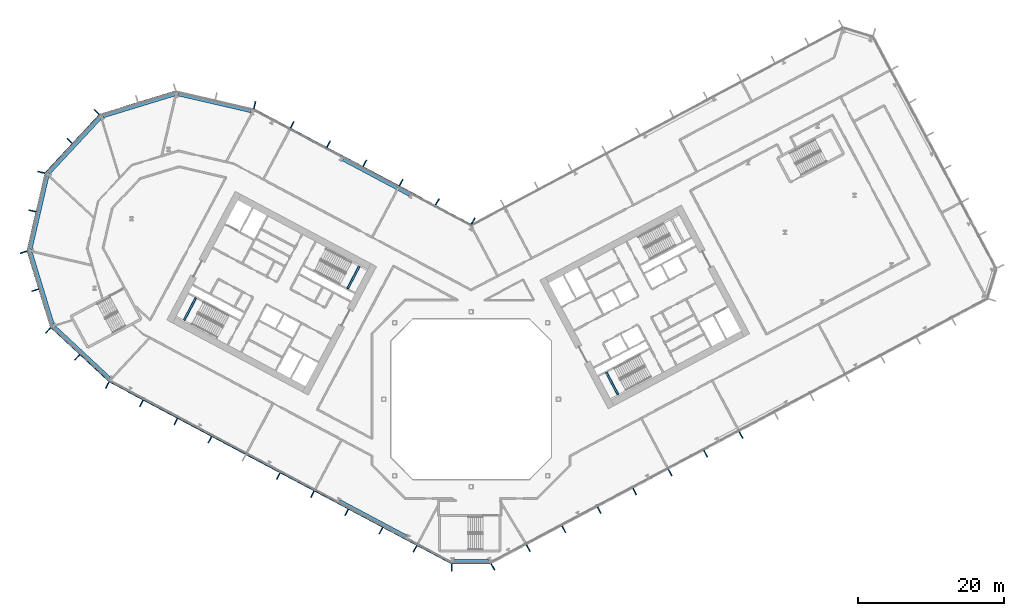
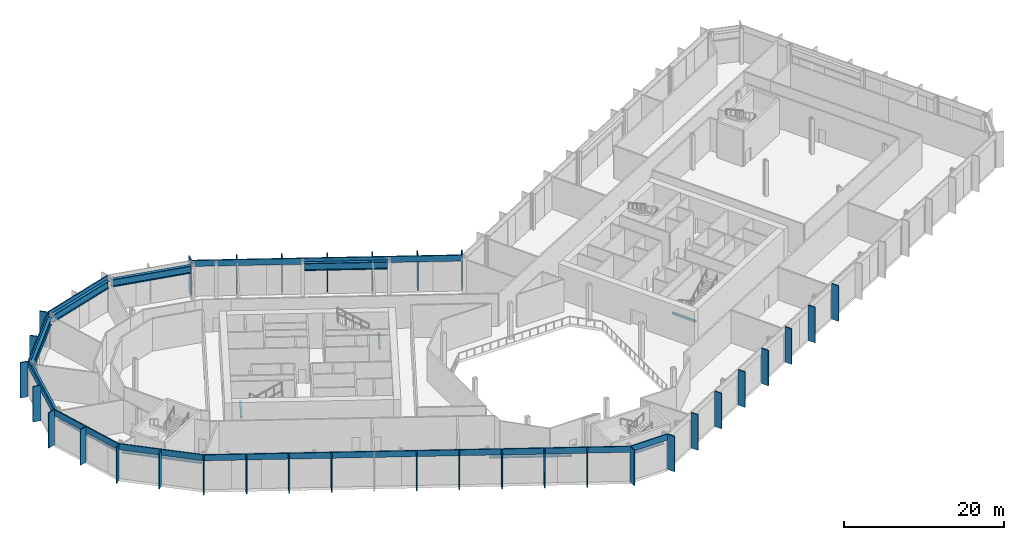
# One storey, part 6 of 31: 41 members, 12 beams, 10 elements without a shape of their own.
"""IFC4 building model written with IfcOpenShell, lengths in metres."""

import ifcopenshell
import ifcopenshell.guid

model = None  # the IFC model being written
_history = None  # IfcOwnerHistory: only IFC2X3 demands one
_inside = {}  # id of a spatial element -> (the spatial element, [elements in it])
_under = {}  # id of a project, library or spatial element -> (it, [spatial elements below it])
_declared = {}  # id of a project -> (the project, [libraries it declares])
_typed = {}  # id of a type object -> (the type object, [elements of that type])
_made_of = {}  # id of a material, layer set ... -> (it, [elements and type objects made of it])


def new_model(schema):
    """Start an empty IFC model of exactly this schema.

    Asked for "IFC4X3", IfcOpenShell would pick the latest addendum, in which some entities
    have other attributes; the version numbers below select the first issue.
    IFC2X3 requires an IfcOwnerHistory on every rooted entity: one is made here for all.
    """
    global model, _history
    if schema == "IFC4X3":
        model = ifcopenshell.file(schema_version=(4, 3, 0, 0))
    else:
        model = ifcopenshell.file(schema=schema)
    _inside.clear()
    _under.clear()
    _declared.clear()
    _typed.clear()
    _made_of.clear()
    _history = None
    if model.schema == "IFC2X3":
        org = make("IfcOrganization", Name="unknown")
        user = make(
            "IfcPersonAndOrganization",
            ThePerson=make("IfcPerson", FamilyName="unknown"),
            TheOrganization=org,
        )
        app = make(
            "IfcApplication",
            ApplicationDeveloper=org,
            Version="unknown",
            ApplicationFullName="unknown",
            ApplicationIdentifier="unknown",
        )
        _history = make(
            "IfcOwnerHistory",
            OwningUser=user,
            OwningApplication=app,
            ChangeAction="ADDED",
            CreationDate=0,
        )
    return model


def make(cls, **values):
    """One entity of the class cls with the attributes given. An attribute that is None is left unset."""
    return model.create_entity(
        cls, **{name: value for name, value in values.items() if value is not None}
    )


def rooted(cls, **values):
    """An entity with a GlobalId (a new one), such as an element, a storey or a relation."""
    return make(cls, GlobalId=ifcopenshell.guid.new(), OwnerHistory=_history, **values)


def si_unit(unit_type, name, prefix=None):
    """IfcSIUnit, for example si_unit("LENGTHUNIT", "METRE", prefix="MILLI")."""
    return make("IfcSIUnit", UnitType=unit_type, Prefix=prefix, Name=name)


def assignment(units):
    """IfcUnitAssignment: the units of a project."""
    return None if units is None else make("IfcUnitAssignment", Units=units)


def point(xyz):
    """IfcCartesianPoint."""
    return None if xyz is None else make("IfcCartesianPoint", Coordinates=xyz)


def direction(xyz):
    """IfcDirection."""
    return None if xyz is None else make("IfcDirection", DirectionRatios=xyz)


def frame(location, z_axis=None, x_axis=None):
    """IfcAxis2Placement3D, a coordinate frame: its origin and axes. An axis left out is left unset."""
    return make(
        "IfcAxis2Placement3D",
        Location=point(location),
        Axis=direction(z_axis),
        RefDirection=direction(x_axis),
    )


def frame_2d(location, x_axis=None):
    """IfcAxis2Placement2D, a coordinate frame in the plane: its origin and x axis."""
    return make(
        "IfcAxis2Placement2D", Location=point(location), RefDirection=direction(x_axis)
    )


def origin():
    """The frame at (0, 0, 0) with its axes left unset."""
    return frame((0.0, 0.0, 0.0))


def origin_2d():
    """The frame at (0, 0) in the plane with its x axis left unset."""
    return frame_2d((0.0, 0.0))


def place(relative_to, where):
    """IfcLocalPlacement: puts the frame where relative to a parent placement (None: the world)."""
    return make(
        "IfcLocalPlacement", PlacementRelTo=relative_to, RelativePlacement=where
    )


def context(
    kind, dimensions, precision=None, world=None, true_north=None, identifier=None
):
    """IfcGeometricRepresentationContext, for example the 3D "Model" context."""
    return make(
        "IfcGeometricRepresentationContext",
        ContextIdentifier=identifier,
        ContextType=kind,
        CoordinateSpaceDimension=dimensions,
        Precision=precision,
        WorldCoordinateSystem=world,
        TrueNorth=true_north,
    )


def subcontext(parent, identifier, kind, view, scale=None):
    """IfcGeometricRepresentationSubContext, for example "Body" below "Model"."""
    return make(
        "IfcGeometricRepresentationSubContext",
        ContextIdentifier=identifier,
        ContextType=kind,
        ParentContext=parent,
        TargetScale=scale,
        TargetView=view,
    )


def project(units=None, contexts=None):
    """IfcProject with its units and contexts."""
    return rooted(
        "IfcProject",
        Name="project",
        RepresentationContexts=contexts,
        UnitsInContext=assignment(units),
    )


def spatial(cls, under=None, at=None, **own):
    """A site, building, storey or space (cls), placed at a placement, below another one or the project."""
    s = rooted(cls, ObjectPlacement=at, **own)
    if under is not None:
        _under.setdefault(under.id(), (under, []))[1].append(s)
    return s


def profile(cls, at=None, kind="AREA", **sizes):
    """A parametric profile (cls). Its sizes go by their IFC names, for example OverallWidth=200.0."""
    return make(cls, ProfileType=kind, Position=at, **sizes)


def rectangle(**sizes):
    """IfcRectangleProfileDef."""
    return profile("IfcRectangleProfileDef", **sizes)


def i_section(**sizes):
    """IfcIShapeProfileDef."""
    return profile("IfcIShapeProfileDef", **sizes)


def extrude(swept, where, along, depth):
    """IfcExtrudedAreaSolid: the profile swept, set in the frame where, extruded along a direction by depth."""
    return make(
        "IfcExtrudedAreaSolid",
        SweptArea=swept,
        Position=where,
        ExtrudedDirection=direction(along),
        Depth=depth,
    )


def shape(context_of_items, identifier, shape_type, items):
    """IfcShapeRepresentation: the items that make up one representation, for example the "Body"."""
    return make(
        "IfcShapeRepresentation",
        ContextOfItems=context_of_items,
        RepresentationIdentifier=identifier,
        RepresentationType=shape_type,
        Items=items,
    )


def material(Name=None, Category=None):
    """IfcMaterial."""
    return make("IfcMaterial", Name=Name, Category=Category)


def layer(
    of_material, thickness, ventilated=None, Name=None, Category=None, Priority=None
):
    """IfcMaterialLayer: one layer of a wall or slab, of a material (None: an air gap)."""
    return make(
        "IfcMaterialLayer",
        Material=of_material,
        LayerThickness=thickness,
        IsVentilated=ventilated,
        Name=Name,
        Category=Category,
        Priority=Priority,
    )


def layer_set(layers, Name=None):
    """IfcMaterialLayerSet."""
    return make("IfcMaterialLayerSet", MaterialLayers=layers, LayerSetName=Name)


def material_profile(
    of_material, cross_section, Name=None, Category=None, Priority=None
):
    """IfcMaterialProfile: a cross section and its material."""
    return make(
        "IfcMaterialProfile",
        Name=Name,
        Material=of_material,
        Profile=cross_section,
        Priority=Priority,
        Category=Category,
    )


def profile_set(profiles, Name=None, composite=None):
    """IfcMaterialProfileSet."""
    return make(
        "IfcMaterialProfileSet",
        Name=Name,
        MaterialProfiles=profiles,
        CompositeProfile=composite,
    )


def made_of(thing, what):
    """Note that an element or type object is made of a material, layer set ...; save() writes the relation."""
    if what is not None:
        _made_of.setdefault(what.id(), (what, []))[1].append(thing)
    return thing


def type_object(cls, material=None, **own):
    """A type object (cls), such as IfcWallType, which elements share."""
    return made_of(rooted(cls, **own), material)


def element(
    cls,
    number,
    at=None,
    inside=None,
    cuts=None,
    type_object=None,
    material=None,
    context=None,
    identifier="Body",
    shape_type=None,
    held_by="IfcProductDefinitionShape",
    body=None,
    shapes=None,
    **own,
):
    """One element of the class cls, such as IfcWall. Its Tag is "e" and its number.

    at: its placement. inside: the storey or other place that contains it. cuts: it is an
    opening in that element (IfcRelVoidsElement). A single representation is given by context,
    identifier, shape_type and body (its items); several are given by shapes. held_by: the class
    of the entity that holds the representations. save() writes the other relations.
    """
    e = rooted(cls, Tag="e%d" % number, ObjectPlacement=at, **own)
    if body is not None:
        shapes = [shape(context, identifier, shape_type, body)]
    if shapes is not None:
        e.Representation = make(held_by, Representations=shapes)
    if inside is not None:
        _inside.setdefault(inside.id(), (inside, []))[1].append(e)
    if cuts is not None:
        rooted(
            "IfcRelVoidsElement", RelatingBuildingElement=cuts, RelatedOpeningElement=e
        )
    if type_object is not None:
        _typed.setdefault(type_object.id(), (type_object, []))[1].append(e)
    return made_of(e, material)


def aggregate(whole, parts):
    """IfcRelAggregates: a whole, such as a stair, and the parts it consists of."""
    return rooted("IfcRelAggregates", RelatingObject=whole, RelatedObjects=parts)


def save(model, path):
    """Write the relations noted so far, then the file.

    IfcRelAggregates (storeys below a building ...), IfcRelContainedInSpatialStructure (elements
    in a storey), IfcRelDefinesByType, IfcRelAssociatesMaterial and IfcRelDeclares: one each for
    every whole, place, type object, material and project.
    """
    for whole, parts in _under.values():
        aggregate(whole, parts)
    for where, things in _inside.values():
        rooted(
            "IfcRelContainedInSpatialStructure",
            RelatedElements=things,
            RelatingStructure=where,
        )
    for kind, things in _typed.values():
        rooted("IfcRelDefinesByType", RelatedObjects=things, RelatingType=kind)
    for what, things in _made_of.values():
        rooted("IfcRelAssociatesMaterial", RelatedObjects=things, RelatingMaterial=what)
    for by, libraries in _declared.values():
        rooted("IfcRelDeclares", RelatingContext=by, RelatedDefinitions=libraries)
    model.write(path)


model = new_model("IFC4")

# Units and contexts
model_context = context("Model", 3, precision=1e-05, world=origin(), true_north=direction((0.0, 1.0)))
body_context = subcontext(model_context, "Body", "Model", "MODEL_VIEW")
ifc_project = project(units=[si_unit("LENGTHUNIT", "METRE"), si_unit("AREAUNIT", "SQUARE_METRE"), si_unit("VOLUMEUNIT", "CUBIC_METRE"), si_unit("PLANEANGLEUNIT", "RADIAN"), si_unit("MASSUNIT", "GRAM", prefix="KILO")], contexts=[model_context])

# Site, building, storey
site_placement = place(None, origin())
site = spatial("IfcSite", under=ifc_project, at=site_placement, CompositionType="ELEMENT")
building_placement = place(site_placement, origin())
building = spatial("IfcBuilding", under=site, at=building_placement, Name="Cormorant Relay Tower", CompositionType="ELEMENT")
storey_placement = place(building_placement, frame((0.0, 0.0, 23.0)))
storey = spatial("IfcBuildingStorey", under=building, at=storey_placement, Name="L04", CompositionType="ELEMENT", Elevation=23.0)

# Curtain wall, member
ifc_material_1 = material(Name="Aluminium 6063-T6 anodised bronze", Category="aluminium")
ifc_layer = layer(ifc_material_1, 0.235107421875)
ifc_layer_set = layer_set([ifc_layer], Name="CW6 data hall curtain wall with mineral wool panels")
curtain_wall_type = type_object("IfcCurtainWallType", Name="CW6 data hall curtain wall with mineral wool panels", PredefinedType="NOTDEFINED", material=ifc_layer_set)
curtain_wall_1_placement = place(storey_placement, origin())
curtain_wall_1 = element("IfcCurtainWall", 1, at=curtain_wall_1_placement, inside=storey, type_object=curtain_wall_type, Name="CW6 curtain wall 1", PredefinedType="NOTDEFINED")
ifc_material_2 = material(Name="Aluminium 6063-T6 anodised bronze", Category="aluminium")
ifc_material_profile_1 = material_profile(ifc_material_2, rectangle(XDim=0.14990234375, YDim=1.0, at=origin_2d()), Name="AL 150x1000")
ifc_profile_set_1 = profile_set([ifc_material_profile_1], Name="Aluminium 6063-T6 anodised bronze")
member_type_1 = type_object("IfcMemberType", Name="CW6 bronze fin mullion 150 x 1000", PredefinedType="MULLION", material=ifc_profile_set_1)
member_1_placement = place(storey_placement, frame((-2.648681640625, -23.110595703125, 0.0), z_axis=(0.0, 0.0, 1.0), x_axis=(1.0, 0.0, 0.0)))
member_1 = element("IfcMember", 2, at=member_1_placement, type_object=member_type_1, Name="CW6 fin 1.1", PredefinedType="MULLION", context=body_context, shape_type="SweptSolid", body=[
    extrude(rectangle(XDim=0.14990234375, YDim=1.0, at=origin_2d()), origin(), (0.0, 0.0, 1.0), 5.39990234375),
])

# Curtain wall, members
curtain_wall_2_placement = place(storey_placement, origin())
curtain_wall_2 = element("IfcCurtainWall", 3, at=curtain_wall_2_placement, inside=storey, type_object=curtain_wall_type, Name="CW6 curtain wall 2", PredefinedType="NOTDEFINED")
member_2_placement = place(storey_placement, frame((2.993896484375, -23.0244140625, 0.0), z_axis=(0.0, 0.0, 1.0), x_axis=(0.882947592859, 0.469471562786, 0.0)))
member_2 = element("IfcMember", 4, at=member_2_placement, type_object=member_type_1, Name="CW6 fin 2.1", PredefinedType="MULLION", context=body_context, shape_type="SweptSolid", body=[
    extrude(rectangle(XDim=0.14990234375, YDim=1.0, at=origin_2d()), origin(), (0.0, 0.0, 1.0), 5.39990234375),
])
member_3_placement = place(storey_placement, frame((7.860595703125, -20.43701171875, 0.0), z_axis=(0.0, 0.0, 1.0), x_axis=(0.882947592859, 0.469471562786, 0.0)))
member_3 = element("IfcMember", 5, at=member_3_placement, type_object=member_type_1, Name="CW6 fin 2.2", PredefinedType="MULLION", context=body_context, shape_type="SweptSolid", body=[
    extrude(rectangle(XDim=0.14990234375, YDim=1.0, at=origin_2d()), origin(), (0.0, 0.0, 1.0), 5.39990234375),
])
member_4_placement = place(storey_placement, frame((12.727294921875, -17.84912109375, 0.0), z_axis=(0.0, 0.0, 1.0), x_axis=(0.882947592859, 0.469471562786, 0.0)))
member_4 = element("IfcMember", 6, at=member_4_placement, type_object=member_type_1, Name="CW6 fin 2.3", PredefinedType="MULLION", context=body_context, shape_type="SweptSolid", body=[
    extrude(rectangle(XDim=0.14990234375, YDim=1.0, at=origin_2d()), origin(), (0.0, 0.0, 1.0), 5.39990234375),
])
member_5_placement = place(storey_placement, frame((17.593994140625, -15.26171875, 0.0), z_axis=(0.0, 0.0, 1.0), x_axis=(0.882947592859, 0.469471562786, 0.0)))
member_5 = element("IfcMember", 7, at=member_5_placement, type_object=member_type_1, Name="CW6 fin 2.4", PredefinedType="MULLION", context=body_context, shape_type="SweptSolid", body=[
    extrude(rectangle(XDim=0.14990234375, YDim=1.0, at=origin_2d()), origin(), (0.0, 0.0, 1.0), 5.39990234375),
])
member_6_placement = place(storey_placement, frame((22.460693359375, -12.673828125, 0.0), z_axis=(0.0, 0.0, 1.0), x_axis=(0.882947592859, 0.469471562786, 0.0)))
member_6 = element("IfcMember", 8, at=member_6_placement, type_object=member_type_1, Name="CW6 fin 2.5", PredefinedType="MULLION", context=body_context, shape_type="SweptSolid", body=[
    extrude(rectangle(XDim=0.14990234375, YDim=1.0, at=origin_2d()), origin(), (0.0, 0.0, 1.0), 5.39990234375),
])
member_7_placement = place(storey_placement, frame((27.327392578125, -10.086181640625, 0.0), z_axis=(0.0, 0.0, 1.0), x_axis=(0.882947592859, 0.469471562786, 0.0)))
member_7 = element("IfcMember", 9, at=member_7_placement, type_object=member_type_1, Name="CW6 fin 2.6", PredefinedType="MULLION", context=body_context, shape_type="SweptSolid", body=[
    extrude(rectangle(XDim=0.14990234375, YDim=1.0, at=origin_2d()), origin(), (0.0, 0.0, 1.0), 5.39990234375),
])
member_8_placement = place(storey_placement, frame((32.194091796875, -7.49853515625, 0.0), z_axis=(0.0, 0.0, 1.0), x_axis=(0.882947592859, 0.469471562786, 0.0)))
member_8 = element("IfcMember", 10, at=member_8_placement, type_object=member_type_1, Name="CW6 fin 2.7", PredefinedType="MULLION", context=body_context, shape_type="SweptSolid", body=[
    extrude(rectangle(XDim=0.14990234375, YDim=1.0, at=origin_2d()), origin(), (0.0, 0.0, 1.0), 5.39990234375),
])
member_9_placement = place(storey_placement, frame((37.060546875, -4.910888671875, 0.0), z_axis=(0.0, 0.0, 1.0), x_axis=(0.882947592859, 0.469471562786, 0.0)))
member_9 = element("IfcMember", 11, at=member_9_placement, type_object=member_type_1, Name="CW6 fin 2.8", PredefinedType="MULLION", context=body_context, shape_type="SweptSolid", body=[
    extrude(rectangle(XDim=0.14990234375, YDim=1.0, at=origin_2d()), origin(), (0.0, 0.0, 1.0), 5.39990234375),
])
aggregate(curtain_wall_2, [member_2, member_3, member_4, member_5, member_6, member_7, member_8, member_9])

curtain_wall_3_placement = place(storey_placement, origin())
curtain_wall_3 = element("IfcCurtainWall", 12, at=curtain_wall_3_placement, inside=storey, type_object=curtain_wall_type, Name="CW6 curtain wall 7", PredefinedType="NOTDEFINED")
member_10_placement = place(storey_placement, frame((0.27880859375, 24.468017578125, 0.0), z_axis=(0.0, 0.0, 1.0), x_axis=(-0.882947592859, 0.469471562786, 0.0)))
member_10 = element("IfcMember", 13, at=member_10_placement, type_object=member_type_1, Name="CW6 fin 7.1", PredefinedType="MULLION", context=body_context, shape_type="SweptSolid", body=[
    extrude(rectangle(XDim=0.14990234375, YDim=1.0, at=origin_2d()), origin(), (0.0, 0.0, 1.0), 5.39990234375),
])
member_11_placement = place(storey_placement, frame((-4.6337890625, 27.080322265625, 0.0), z_axis=(0.0, 0.0, 1.0), x_axis=(-0.882947592859, 0.469471562786, 0.0)))
member_11 = element("IfcMember", 14, at=member_11_placement, type_object=member_type_1, Name="CW6 fin 7.2", PredefinedType="MULLION", context=body_context, shape_type="SweptSolid", body=[
    extrude(rectangle(XDim=0.14990234375, YDim=1.0, at=origin_2d()), origin(), (0.0, 0.0, 1.0), 5.39990234375),
])
member_12_placement = place(storey_placement, frame((-9.61279296875, 29.727783203125, 0.0), z_axis=(0.0, 0.0, 1.0), x_axis=(-0.882947592859, 0.469471562786, 0.0)))
member_12 = element("IfcMember", 15, at=member_12_placement, type_object=member_type_1, Name="CW6 fin 7.3", PredefinedType="MULLION", context=body_context, shape_type="SweptSolid", body=[
    extrude(rectangle(XDim=0.14990234375, YDim=1.0, at=origin_2d()), origin(), (0.0, 0.0, 1.0), 5.39990234375),
])
member_13_placement = place(storey_placement, frame((-14.591796875, 32.375, 0.0), z_axis=(0.0, 0.0, 1.0), x_axis=(-0.882947592859, 0.469471562786, 0.0)))
member_13 = element("IfcMember", 16, at=member_13_placement, type_object=member_type_1, Name="CW6 fin 7.4", PredefinedType="MULLION", context=body_context, shape_type="SweptSolid", body=[
    extrude(rectangle(XDim=0.14990234375, YDim=1.0, at=origin_2d()), origin(), (0.0, 0.0, 1.0), 5.39990234375),
])
member_14_placement = place(storey_placement, frame((-19.57080078125, 35.0224609375, 0.0), z_axis=(0.0, 0.0, 1.0), x_axis=(-0.882947592859, 0.469471562786, 0.0)))
member_14 = element("IfcMember", 17, at=member_14_placement, type_object=member_type_1, Name="CW6 fin 7.5", PredefinedType="MULLION", context=body_context, shape_type="SweptSolid", body=[
    extrude(rectangle(XDim=0.14990234375, YDim=1.0, at=origin_2d()), origin(), (0.0, 0.0, 1.0), 5.39990234375),
])
member_15_placement = place(storey_placement, frame((-24.5498046875, 37.669677734375, 0.0), z_axis=(0.0, 0.0, 1.0), x_axis=(-0.882947592859, 0.469471562786, 0.0)))
member_15 = element("IfcMember", 18, at=member_15_placement, type_object=member_type_1, Name="CW6 fin 7.6", PredefinedType="MULLION", context=body_context, shape_type="SweptSolid", body=[
    extrude(rectangle(XDim=0.14990234375, YDim=1.0, at=origin_2d()), origin(), (0.0, 0.0, 1.0), 5.39990234375),
])

# Curtain wall, member
curtain_wall_4_placement = place(storey_placement, origin())
curtain_wall_4 = element("IfcCurtainWall", 19, at=curtain_wall_4_placement, inside=storey, type_object=curtain_wall_type, Name="CW6 curtain wall 8", PredefinedType="NOTDEFINED")
member_16_placement = place(storey_placement, frame((-29.70849609375, 40.38427734375, 0.0), z_axis=(0.0, 0.0, 1.0), x_axis=(-0.974370064785, 0.224951054344, 0.0)))
member_16 = element("IfcMember", 20, at=member_16_placement, type_object=member_type_1, Name="CW6 fin 8.1", PredefinedType="MULLION", context=body_context, shape_type="SweptSolid", body=[
    extrude(rectangle(XDim=0.14990234375, YDim=1.0, at=origin_2d()), origin(), (0.0, 0.0, 1.0), 5.39990234375),
])
aggregate(curtain_wall_4, [member_16])

# Curtain wall, members
curtain_wall_5_placement = place(storey_placement, origin())
curtain_wall_5 = element("IfcCurtainWall", 21, at=curtain_wall_5_placement, inside=storey, type_object=curtain_wall_type, Name="CW6 curtain wall 10", PredefinedType="NOTDEFINED")
member_17_placement = place(storey_placement, frame((-51.3984375, 39.4365234375, 0.0), z_axis=(0.0, 0.0, 1.0), x_axis=(-0.681998360062, -0.731353701619, 0.0)))
member_17 = element("IfcMember", 22, at=member_17_placement, type_object=member_type_1, Name="CW6 fin 10.1", PredefinedType="MULLION", context=body_context, shape_type="SweptSolid", body=[
    extrude(rectangle(XDim=0.14990234375, YDim=1.0, at=origin_2d()), origin(), (0.0, 0.0, 1.0), 5.39990234375),
])
member_18_placement = place(storey_placement, frame((-55.105224609375, 35.46142578125, 0.0), z_axis=(0.0, 0.0, 1.0), x_axis=(-0.681998360062, -0.731353701619, 0.0)))
member_18 = element("IfcMember", 23, at=member_18_placement, type_object=member_type_1, Name="CW6 fin 10.2", PredefinedType="MULLION", context=body_context, shape_type="SweptSolid", body=[
    extrude(rectangle(XDim=0.14990234375, YDim=1.0, at=origin_2d()), origin(), (0.0, 0.0, 1.0), 5.39990234375),
])

curtain_wall_6_placement = place(storey_placement, origin())
curtain_wall_6 = element("IfcCurtainWall", 24, at=curtain_wall_6_placement, inside=storey, type_object=curtain_wall_type, Name="CW6 curtain wall 11", PredefinedType="NOTDEFINED")
member_19_placement = place(storey_placement, frame((-58.99072265625, 31.150390625, 0.0), z_axis=(0.0, 0.0, 1.0), x_axis=(-0.224951054344, -0.974370064785, 0.0)))
member_19 = element("IfcMember", 25, at=member_19_placement, type_object=member_type_1, Name="CW6 fin 11.1", PredefinedType="MULLION", context=body_context, shape_type="SweptSolid", body=[
    extrude(rectangle(XDim=0.14990234375, YDim=1.0, at=origin_2d()), origin(), (0.0, 0.0, 1.0), 5.39990234375),
])
member_20_placement = place(storey_placement, frame((-60.21337890625, 25.8544921875, 0.0), z_axis=(0.0, 0.0, 1.0), x_axis=(-0.224951054344, -0.974370064785, 0.0)))
member_20 = element("IfcMember", 26, at=member_20_placement, type_object=member_type_1, Name="CW6 fin 11.2", PredefinedType="MULLION", context=body_context, shape_type="SweptSolid", body=[
    extrude(rectangle(XDim=0.14990234375, YDim=1.0, at=origin_2d()), origin(), (0.0, 0.0, 1.0), 5.39990234375),
])

curtain_wall_7_placement = place(storey_placement, origin())
curtain_wall_7 = element("IfcCurtainWall", 27, at=curtain_wall_7_placement, inside=storey, type_object=curtain_wall_type, Name="CW6 curtain wall 12", PredefinedType="NOTDEFINED")
member_21_placement = place(storey_placement, frame((-61.422607421875, 20.178466796875, 0.0), z_axis=(0.0, 0.0, 1.0), x_axis=(0.292371704723, -0.956304755963, 0.0)))
member_21 = element("IfcMember", 28, at=member_21_placement, type_object=member_type_1, Name="CW6 fin 12.1", PredefinedType="MULLION", context=body_context, shape_type="SweptSolid", body=[
    extrude(rectangle(XDim=0.14990234375, YDim=1.0, at=origin_2d()), origin(), (0.0, 0.0, 1.0), 5.39990234375),
])
member_22_placement = place(storey_placement, frame((-59.83349609375, 14.980712890625, 0.0), z_axis=(0.0, 0.0, 1.0), x_axis=(0.292371704723, -0.956304755963, 0.0)))
member_22 = element("IfcMember", 29, at=member_22_placement, type_object=member_type_1, Name="CW6 fin 12.2", PredefinedType="MULLION", context=body_context, shape_type="SweptSolid", body=[
    extrude(rectangle(XDim=0.14990234375, YDim=1.0, at=origin_2d()), origin(), (0.0, 0.0, 1.0), 5.39990234375),
])

curtain_wall_8_placement = place(storey_placement, origin())
curtain_wall_8 = element("IfcCurtainWall", 30, at=curtain_wall_8_placement, inside=storey, type_object=curtain_wall_type, Name="CW6 curtain wall 13", PredefinedType="NOTDEFINED")
member_23_placement = place(storey_placement, frame((-58.04296875, 9.46044921875, 0.0), z_axis=(0.0, 0.0, 1.0), x_axis=(0.731353701619, -0.681998360062, 0.0)))
member_23 = element("IfcMember", 31, at=member_23_placement, type_object=member_type_1, Name="CW6 fin 13.1", PredefinedType="MULLION", context=body_context, shape_type="SweptSolid", body=[
    extrude(rectangle(XDim=0.14990234375, YDim=1.0, at=origin_2d()), origin(), (0.0, 0.0, 1.0), 5.39990234375),
])
member_24_placement = place(storey_placement, frame((-54.06787109375, 5.753662109375, 0.0), z_axis=(0.0, 0.0, 1.0), x_axis=(0.731353701619, -0.681998360062, 0.0)))
member_24 = element("IfcMember", 32, at=member_24_placement, type_object=member_type_1, Name="CW6 fin 13.2", PredefinedType="MULLION", context=body_context, shape_type="SweptSolid", body=[
    extrude(rectangle(XDim=0.14990234375, YDim=1.0, at=origin_2d()), origin(), (0.0, 0.0, 1.0), 5.39990234375),
])

curtain_wall_9_placement = place(storey_placement, origin())
curtain_wall_9 = element("IfcCurtainWall", 33, at=curtain_wall_9_placement, inside=storey, type_object=curtain_wall_type, Name="CW6 curtain wall 14", PredefinedType="NOTDEFINED")
member_25_placement = place(storey_placement, frame((-49.9365234375, 1.935302734375, 0.0), z_axis=(0.0, 0.0, 1.0), x_axis=(0.882947592859, -0.469471562786, 0.0)))
member_25 = element("IfcMember", 34, at=member_25_placement, type_object=member_type_1, Name="CW6 fin 14.1", PredefinedType="MULLION", context=body_context, shape_type="SweptSolid", body=[
    extrude(rectangle(XDim=0.14990234375, YDim=1.0, at=origin_2d()), origin(), (0.0, 0.0, 1.0), 5.39990234375),
])
member_26_placement = place(storey_placement, frame((-45.2421875, -0.560546875, 0.0), z_axis=(0.0, 0.0, 1.0), x_axis=(0.882947592859, -0.469471562786, 0.0)))
member_26 = element("IfcMember", 35, at=member_26_placement, type_object=member_type_1, Name="CW6 fin 14.2", PredefinedType="MULLION", context=body_context, shape_type="SweptSolid", body=[
    extrude(rectangle(XDim=0.14990234375, YDim=1.0, at=origin_2d()), origin(), (0.0, 0.0, 1.0), 5.39990234375),
])
member_27_placement = place(storey_placement, frame((-40.548095703125, -3.056640625, 0.0), z_axis=(0.0, 0.0, 1.0), x_axis=(0.882947592859, -0.469471562786, 0.0)))
member_27 = element("IfcMember", 36, at=member_27_placement, type_object=member_type_1, Name="CW6 fin 14.3", PredefinedType="MULLION", context=body_context, shape_type="SweptSolid", body=[
    extrude(rectangle(XDim=0.14990234375, YDim=1.0, at=origin_2d()), origin(), (0.0, 0.0, 1.0), 5.39990234375),
])
member_28_placement = place(storey_placement, frame((-35.853759765625, -5.552490234375, 0.0), z_axis=(0.0, 0.0, 1.0), x_axis=(0.882947592859, -0.469471562786, 0.0)))
member_28 = element("IfcMember", 37, at=member_28_placement, type_object=member_type_1, Name="CW6 fin 14.4", PredefinedType="MULLION", context=body_context, shape_type="SweptSolid", body=[
    extrude(rectangle(XDim=0.14990234375, YDim=1.0, at=origin_2d()), origin(), (0.0, 0.0, 1.0), 5.39990234375),
])
member_29_placement = place(storey_placement, frame((-26.46533203125, -10.544677734375, 0.0), z_axis=(0.0, 0.0, 1.0), x_axis=(0.882947592859, -0.469471562786, 0.0)))
member_29 = element("IfcMember", 38, at=member_29_placement, type_object=member_type_1, Name="CW6 fin 14.6", PredefinedType="MULLION", context=body_context, shape_type="SweptSolid", body=[
    extrude(rectangle(XDim=0.14990234375, YDim=1.0, at=origin_2d()), origin(), (0.0, 0.0, 1.0), 5.39990234375),
])
member_30_placement = place(storey_placement, frame((-21.77099609375, -13.04052734375, 0.0), z_axis=(0.0, 0.0, 1.0), x_axis=(0.882947592859, -0.469471562786, 0.0)))
member_30 = element("IfcMember", 39, at=member_30_placement, type_object=member_type_1, Name="CW6 fin 14.7", PredefinedType="MULLION", context=body_context, shape_type="SweptSolid", body=[
    extrude(rectangle(XDim=0.14990234375, YDim=1.0, at=origin_2d()), origin(), (0.0, 0.0, 1.0), 5.39990234375),
])
member_31_placement = place(storey_placement, frame((-17.07666015625, -15.53662109375, 0.0), z_axis=(0.0, 0.0, 1.0), x_axis=(0.882947592859, -0.469471562786, 0.0)))
member_31 = element("IfcMember", 40, at=member_31_placement, type_object=member_type_1, Name="CW6 fin 14.8", PredefinedType="MULLION", context=body_context, shape_type="SweptSolid", body=[
    extrude(rectangle(XDim=0.14990234375, YDim=1.0, at=origin_2d()), origin(), (0.0, 0.0, 1.0), 5.39990234375),
])
member_32_placement = place(storey_placement, frame((-12.38232421875, -18.032470703125, 0.0), z_axis=(0.0, 0.0, 1.0), x_axis=(0.882947592859, -0.469471562786, 0.0)))
member_32 = element("IfcMember", 41, at=member_32_placement, type_object=member_type_1, Name="CW6 fin 14.9", PredefinedType="MULLION", context=body_context, shape_type="SweptSolid", body=[
    extrude(rectangle(XDim=0.14990234375, YDim=1.0, at=origin_2d()), origin(), (0.0, 0.0, 1.0), 5.39990234375),
])
member_33_placement = place(storey_placement, frame((-7.688232421875, -20.528564453125, 0.0), z_axis=(0.0, 0.0, 1.0), x_axis=(0.882947592859, -0.469471562786, 0.0)))
member_33 = element("IfcMember", 42, at=member_33_placement, type_object=member_type_1, Name="CW6 fin 14.10", PredefinedType="MULLION", context=body_context, shape_type="SweptSolid", body=[
    extrude(rectangle(XDim=0.14990234375, YDim=1.0, at=origin_2d()), origin(), (0.0, 0.0, 1.0), 5.39990234375),
])

# Member
ifc_material_3 = material(Name="Aluminium 6063-T6 anodised bronze", Category="aluminium")
ifc_material_profile_2 = material_profile(ifc_material_3, rectangle(XDim=0.159912109375, YDim=0.89990234375, at=origin_2d()), Name="AL 160x900")
ifc_profile_set_2 = profile_set([ifc_material_profile_2], Name="Aluminium 6063-T6 anodised bronze")
member_type_2 = type_object("IfcMemberType", Name="CW6 bronze transom 160 x 900", PredefinedType="USERDEFINED", material=ifc_profile_set_2)
member_34_placement = place(storey_placement, frame((-2.648681640625, -22.530517578125, 4.949951171875), z_axis=(1.0, 0.0, 0.0), x_axis=(0.0, 1.0, 0.0)))
member_34 = element("IfcMember", 43, at=member_34_placement, type_object=member_type_2, Name="CW6 transom 1", ObjectType="TRANSOM", PredefinedType="USERDEFINED", context=body_context, shape_type="SweptSolid", body=[
    extrude(rectangle(XDim=0.159912109375, YDim=0.89990234375, at=origin_2d()), origin(), (0.0, 0.0, 1.0), 5.29736328125),
])

aggregate(curtain_wall_1, [member_1, member_34])

member_35_placement = place(storey_placement, frame((0.07275390625, 23.9208984375, 4.949951171875), z_axis=(-0.882949271414, 0.46946840587, 0.0), x_axis=(-0.46946840587, -0.882949271414, 0.0)))
member_35 = element("IfcMember", 44, at=member_35_placement, type_object=member_type_2, Name="CW6 transom 7", ObjectType="TRANSOM", PredefinedType="USERDEFINED", context=body_context, shape_type="SweptSolid", body=[
    extrude(rectangle(XDim=0.159912109375, YDim=0.89990234375, at=origin_2d()), origin(), (0.0, 0.0, 1.0), 33.833984375),
])

aggregate(curtain_wall_3, [member_10, member_11, member_12, member_13, member_14, member_15, member_35])

# Curtain wall, member
curtain_wall_10_placement = place(storey_placement, origin())
curtain_wall_10 = element("IfcCurtainWall", 45, at=curtain_wall_10_placement, inside=storey, type_object=curtain_wall_type, Name="CW6 curtain wall 9", PredefinedType="NOTDEFINED")
member_36_placement = place(storey_placement, frame((-40.5107421875, 42.26171875, 4.949951171875), z_axis=(-0.956304833932, -0.292371449698, 0.0), x_axis=(0.292371449698, -0.956304833932, 0.0)))
member_36 = element("IfcMember", 46, at=member_36_placement, type_object=member_type_2, Name="CW6 transom 9", ObjectType="TRANSOM", PredefinedType="USERDEFINED", context=body_context, shape_type="SweptSolid", body=[
    extrude(rectangle(XDim=0.159912109375, YDim=0.89990234375, at=origin_2d()), origin(), (0.0, 0.0, 1.0), 10.87060546875),
])
aggregate(curtain_wall_10, [member_36])

# Member
member_37_placement = place(storey_placement, frame((-50.974365234375, 39.041015625, 4.949951171875), z_axis=(-0.681993299437, -0.731358420696, 0.0), x_axis=(0.731358420696, -0.681993299437, 0.0)))
member_37 = element("IfcMember", 47, at=member_37_placement, type_object=member_type_2, Name="CW6 transom 10", ObjectType="TRANSOM", PredefinedType="USERDEFINED", context=body_context, shape_type="SweptSolid", body=[
    extrude(rectangle(XDim=0.159912109375, YDim=0.89990234375, at=origin_2d()), origin(), (0.0, 0.0, 1.0), 10.870361328125),
])

aggregate(curtain_wall_5, [member_17, member_18, member_37])

member_38_placement = place(storey_placement, frame((-58.425537109375, 31.02001953125, 4.949951171875), z_axis=(-0.22495136131, -0.974369993916, 0.0), x_axis=(0.974369993916, -0.22495136131, 0.0)))
member_38 = element("IfcMember", 48, at=member_38_placement, type_object=member_type_2, Name="CW6 transom 11", ObjectType="TRANSOM", PredefinedType="USERDEFINED", context=body_context, shape_type="SweptSolid", body=[
    extrude(rectangle(XDim=0.159912109375, YDim=0.89990234375, at=origin_2d()), origin(), (0.0, 0.0, 1.0), 10.870361328125),
])

aggregate(curtain_wall_6, [member_19, member_20, member_38])

member_39_placement = place(storey_placement, frame((-60.8681640625, 20.347900390625, 4.949951171875), z_axis=(0.292377729282, -0.95630291405, 0.0), x_axis=(0.95630291405, 0.292377729282, 0.0)))
member_39 = element("IfcMember", 49, at=member_39_placement, type_object=member_type_2, Name="CW6 transom 12", ObjectType="TRANSOM", PredefinedType="USERDEFINED", context=body_context, shape_type="SweptSolid", body=[
    extrude(rectangle(XDim=0.159912109375, YDim=0.89990234375, at=origin_2d()), origin(), (0.0, 0.0, 1.0), 10.870361328125),
])

aggregate(curtain_wall_7, [member_21, member_22, member_39])

member_40_placement = place(storey_placement, frame((-57.6474609375, 9.884521484375, 4.949951171875), z_axis=(0.731358420696, -0.681993299437, 0.0), x_axis=(0.681993299437, 0.731358420696, 0.0)))
member_40 = element("IfcMember", 50, at=member_40_placement, type_object=member_type_2, Name="CW6 transom 13", ObjectType="TRANSOM", PredefinedType="USERDEFINED", context=body_context, shape_type="SweptSolid", body=[
    extrude(rectangle(XDim=0.159912109375, YDim=0.89990234375, at=origin_2d()), origin(), (0.0, 0.0, 1.0), 10.870361328125),
])

aggregate(curtain_wall_8, [member_23, member_24, member_40])

member_41_placement = place(storey_placement, frame((-49.664306640625, 2.447509765625, 4.949951171875), z_axis=(0.882946630435, -0.469473372838, 0.0), x_axis=(0.469473372838, 0.882946630435, 0.0)))
member_41 = element("IfcMember", 51, at=member_41_placement, type_object=member_type_2, Name="CW6 transom 14", ObjectType="TRANSOM", PredefinedType="USERDEFINED", context=body_context, shape_type="SweptSolid", body=[
    extrude(rectangle(XDim=0.159912109375, YDim=0.89990234375, at=origin_2d()), origin(), (0.0, 0.0, 1.0), 53.165771484375),
])

aggregate(curtain_wall_9, [member_25, member_26, member_27, member_28, member_29, member_30, member_31, member_32, member_33, member_41])

# Beams
ifc_material_4 = material(Name="Steel ASTM A992 (Fy 345 MPa)", Category="steel")
ifc_material_profile_3 = material_profile(ifc_material_4, i_section(OverallWidth=0.408935546875, OverallDepth=1.137939453125, WebThickness=0.031005859375, FlangeThickness=0.05517578125, FilletRadius=0.02001953125, at=origin_2d()), Name="W1100x607")
ifc_profile_set_3 = profile_set([ifc_material_profile_3], Name="Steel ASTM A992 (Fy 345 MPa)")
beam_type_1 = type_object("IfcBeamType", Name="Spandrel W1100x607", PredefinedType="SPANDREL", material=ifc_profile_set_3)
beam_1_placement = place(storey_placement, frame((-2.331787109375, -22.171142578125, 4.381103515625), z_axis=(1.0, 0.0, 0.0), x_axis=(0.0, 1.0, 0.0)))
element("IfcBeam", 52, at=beam_1_placement, inside=storey, type_object=beam_type_1, Name="Spandrel beam L04-001", PredefinedType="SPANDREL", context=body_context, shape_type="SweptSolid", body=[
    extrude(i_section(OverallWidth=0.408935546875, OverallDepth=1.137939453125, WebThickness=0.031005859375, FlangeThickness=0.05517578125, FilletRadius=0.02001953125, at=origin_2d()), origin(), (0.0, 0.0, 1.0), 4.71533203125),
])
beam_2_placement = place(storey_placement, frame((-8.442138671875, 28.041015625, 4.381103515625), z_axis=(-0.882941792792, 0.469482470963, 0.0), x_axis=(-0.469482470963, -0.882941792792, 0.0)))
element("IfcBeam", 53, at=beam_2_placement, inside=storey, type_object=beam_type_1, Name="Spandrel beam L04-007", PredefinedType="SPANDREL", context=body_context, shape_type="SweptSolid", body=[
    extrude(i_section(OverallWidth=0.408935546875, OverallDepth=1.137939453125, WebThickness=0.031005859375, FlangeThickness=0.05517578125, FilletRadius=0.02001953125, at=origin_2d()), origin(), (0.0, 0.0, 1.0), 10.363037109375),
])
beam_3_placement = place(storey_placement, frame((-30.184814453125, 39.530029296875, 4.381103515625), z_axis=(-0.974369683491, 0.224952705905, 0.0), x_axis=(-0.224952705905, -0.974369683491, 0.0)))
element("IfcBeam", 54, at=beam_3_placement, inside=storey, type_object=beam_type_1, Name="Spandrel beam L04-008", PredefinedType="SPANDREL", context=body_context, shape_type="SweptSolid", body=[
    extrude(i_section(OverallWidth=0.408935546875, OverallDepth=1.137939453125, WebThickness=0.031005859375, FlangeThickness=0.05517578125, FilletRadius=0.02001953125, at=origin_2d()), origin(), (0.0, 0.0, 1.0), 10.3310546875),
])
beam_4_placement = place(storey_placement, frame((-40.716796875, 41.82275390625, 4.381103515625), z_axis=(-0.956304908485, -0.292371205845, 0.0), x_axis=(0.292371205845, -0.956304908485, 0.0)))
element("IfcBeam", 55, at=beam_4_placement, inside=storey, type_object=beam_type_1, Name="Spandrel beam L04-009", PredefinedType="SPANDREL", context=body_context, shape_type="SweptSolid", body=[
    extrude(i_section(OverallWidth=0.408935546875, OverallDepth=1.137939453125, WebThickness=0.031005859375, FlangeThickness=0.05517578125, FilletRadius=0.02001953125, at=origin_2d()), origin(), (0.0, 0.0, 1.0), 10.278564453125),
])
beam_5_placement = place(storey_placement, frame((-50.93359375, 38.557373046875, 4.381103515625), z_axis=(-0.682005863937, -0.731346704071, 0.0), x_axis=(0.731346704071, -0.682005863937, 0.0)))
element("IfcBeam", 56, at=beam_5_placement, inside=storey, type_object=beam_type_1, Name="Spandrel beam L04-010", PredefinedType="SPANDREL", context=body_context, shape_type="SweptSolid", body=[
    extrude(i_section(OverallWidth=0.408935546875, OverallDepth=1.137939453125, WebThickness=0.031005859375, FlangeThickness=0.05517578125, FilletRadius=0.02001953125, at=origin_2d()), origin(), (0.0, 0.0, 1.0), 10.277099609375),
])
beam_6_placement = place(storey_placement, frame((-58.1484375, 30.6220703125, 4.381103515625), z_axis=(-0.224956659484, -0.97436877072, 0.0), x_axis=(0.97436877072, -0.224956659484, 0.0)))
element("IfcBeam", 57, at=beam_6_placement, inside=storey, type_object=beam_type_1, Name="Spandrel beam L04-011", PredefinedType="SPANDREL", context=body_context, shape_type="SweptSolid", body=[
    extrude(i_section(OverallWidth=0.408935546875, OverallDepth=1.137939453125, WebThickness=0.031005859375, FlangeThickness=0.05517578125, FilletRadius=0.02001953125, at=origin_2d()), origin(), (0.0, 0.0, 1.0), 10.277587890625),
])
beam_7_placement = place(storey_placement, frame((-60.42919921875, 20.14208984375, 4.381103515625), z_axis=(0.292364564847, -0.956306938813, 0.0), x_axis=(0.956306938813, 0.292364564847, 0.0)))
element("IfcBeam", 58, at=beam_7_placement, inside=storey, type_object=beam_type_1, Name="Spandrel beam L04-012", PredefinedType="SPANDREL", context=body_context, shape_type="SweptSolid", body=[
    extrude(i_section(OverallWidth=0.408935546875, OverallDepth=1.137939453125, WebThickness=0.031005859375, FlangeThickness=0.05517578125, FilletRadius=0.02001953125, at=origin_2d()), origin(), (0.0, 0.0, 1.0), 10.27880859375),
])
beam_8_placement = place(storey_placement, frame((-57.163818359375, 9.925048828125, 4.381103515625), z_axis=(0.731361805756, -0.681989669336, 0.0), x_axis=(0.681989669336, 0.731361805756, 0.0)))
element("IfcBeam", 59, at=beam_8_placement, inside=storey, type_object=beam_type_1, Name="Spandrel beam L04-013", PredefinedType="SPANDREL", context=body_context, shape_type="SweptSolid", body=[
    extrude(i_section(OverallWidth=0.408935546875, OverallDepth=1.137939453125, WebThickness=0.031005859375, FlangeThickness=0.05517578125, FilletRadius=0.02001953125, at=origin_2d()), origin(), (0.0, 0.0, 1.0), 10.30029296875),
])
beam_9_placement = place(storey_placement, frame((-18.04638671875, -13.95703125, 4.381103515625), z_axis=(0.882942412403, -0.469481305677, 0.0), x_axis=(0.469481305677, 0.882942412403, 0.0)))
element("IfcBeam", 60, at=beam_9_placement, inside=storey, type_object=beam_type_1, Name="Spandrel beam L04-014", PredefinedType="SPANDREL", context=body_context, shape_type="SweptSolid", body=[
    extrude(i_section(OverallWidth=0.408935546875, OverallDepth=1.137939453125, WebThickness=0.031005859375, FlangeThickness=0.05517578125, FilletRadius=0.02001953125, at=origin_2d()), origin(), (0.0, 0.0, 1.0), 10.363525390625),
])
ifc_material_5 = material(Name="Concrete 50 MPa", Category="concrete")
ifc_material_profile_4 = material_profile(ifc_material_5, rectangle(XDim=0.25, YDim=0.300048828125, at=origin_2d()), Name="RC 250x300")
ifc_profile_set_4 = profile_set([ifc_material_profile_4], Name="Concrete 50 MPa")
beam_type_2 = type_object("IfcBeamType", Name="Stair landing ledge beam 250x300", PredefinedType="BEAM", material=ifc_profile_set_4)
for number, where, z_axis, x_axis, name in (
    (61, (-16.9677734375, 15.1943359375, 2.35009765625), (0.469463917486, 0.882951657895, 0.0), (-0.882951657895, 0.469463917486, 0.0), "A1 landing ledge beam"),
    (62, (-37.77490234375, 13.912841796875, 2.35009765625), (-0.469519084434, -0.88292232351, 0.0), (0.88292232351, -0.469519084434, 0.0), "A2 landing ledge beam"),
    (63, (18.55322265625, 3.6923828125, 2.35009765625), (0.469463917486, -0.882951657895, 0.0), (0.882951657895, 0.469463917486, 0.0), "B1 landing ledge beam"),
):
    element("IfcBeam", number, at=place(storey_placement, frame(where, z_axis=z_axis, x_axis=x_axis)), inside=storey, type_object=beam_type_2, Name=name, PredefinedType="BEAM", context=body_context, shape_type="SweptSolid", body=[
        extrude(rectangle(XDim=0.25, YDim=0.300048828125, at=origin_2d()), origin(), (0.0, 0.0, 1.0), 3.449951171875),
    ])

save(model, "model.ifc")
